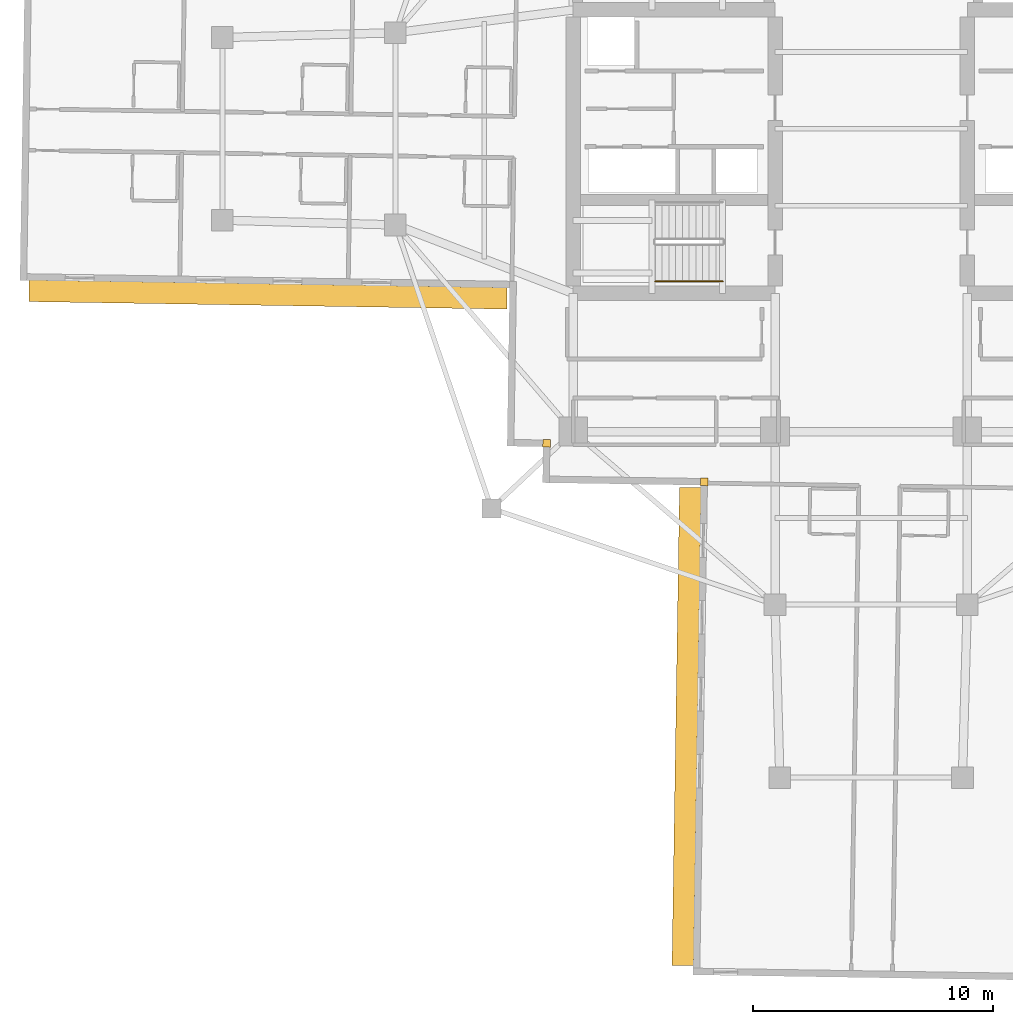
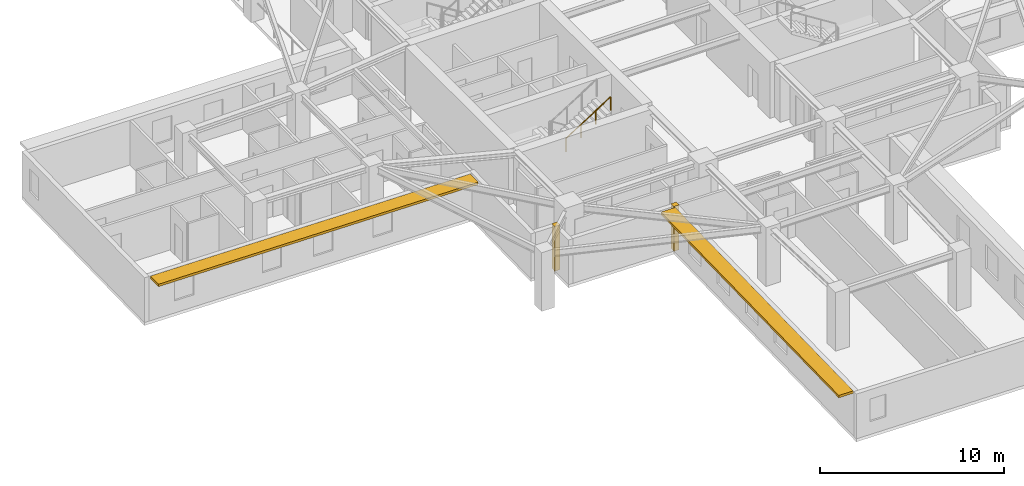
# One storey, part 9 of 13: 2 coverings, 2 shading devices, 1 railing.
"""IFC4 building model written with IfcOpenShell, lengths in metres."""

import ifcopenshell
import ifcopenshell.guid

model = None  # the IFC model being written
_history = None  # IfcOwnerHistory: only IFC2X3 demands one
_inside = {}  # id of a spatial element -> (the spatial element, [elements in it])
_under = {}  # id of a project, library or spatial element -> (it, [spatial elements below it])
_declared = {}  # id of a project -> (the project, [libraries it declares])
_typed = {}  # id of a type object -> (the type object, [elements of that type])
_made_of = {}  # id of a material, layer set ... -> (it, [elements and type objects made of it])


def new_model(schema):
    """Start an empty IFC model of exactly this schema.

    Asked for "IFC4X3", IfcOpenShell would pick the latest addendum, in which some entities
    have other attributes; the version numbers below select the first issue.
    IFC2X3 requires an IfcOwnerHistory on every rooted entity: one is made here for all.
    """
    global model, _history
    if schema == "IFC4X3":
        model = ifcopenshell.file(schema_version=(4, 3, 0, 0))
    else:
        model = ifcopenshell.file(schema=schema)
    _inside.clear()
    _under.clear()
    _declared.clear()
    _typed.clear()
    _made_of.clear()
    _history = None
    if model.schema == "IFC2X3":
        org = make("IfcOrganization", Name="unknown")
        user = make(
            "IfcPersonAndOrganization",
            ThePerson=make("IfcPerson", FamilyName="unknown"),
            TheOrganization=org,
        )
        app = make(
            "IfcApplication",
            ApplicationDeveloper=org,
            Version="unknown",
            ApplicationFullName="unknown",
            ApplicationIdentifier="unknown",
        )
        _history = make(
            "IfcOwnerHistory",
            OwningUser=user,
            OwningApplication=app,
            ChangeAction="ADDED",
            CreationDate=0,
        )
    return model


def make(cls, **values):
    """One entity of the class cls with the attributes given. An attribute that is None is left unset."""
    return model.create_entity(
        cls, **{name: value for name, value in values.items() if value is not None}
    )


def rooted(cls, **values):
    """An entity with a GlobalId (a new one), such as an element, a storey or a relation."""
    return make(cls, GlobalId=ifcopenshell.guid.new(), OwnerHistory=_history, **values)


def si_unit(unit_type, name, prefix=None):
    """IfcSIUnit, for example si_unit("LENGTHUNIT", "METRE", prefix="MILLI")."""
    return make("IfcSIUnit", UnitType=unit_type, Prefix=prefix, Name=name)


def assignment(units):
    """IfcUnitAssignment: the units of a project."""
    return None if units is None else make("IfcUnitAssignment", Units=units)


def point(xyz):
    """IfcCartesianPoint."""
    return None if xyz is None else make("IfcCartesianPoint", Coordinates=xyz)


def direction(xyz):
    """IfcDirection."""
    return None if xyz is None else make("IfcDirection", DirectionRatios=xyz)


def frame(location, z_axis=None, x_axis=None):
    """IfcAxis2Placement3D, a coordinate frame: its origin and axes. An axis left out is left unset."""
    return make(
        "IfcAxis2Placement3D",
        Location=point(location),
        Axis=direction(z_axis),
        RefDirection=direction(x_axis),
    )


def frame_2d(location, x_axis=None):
    """IfcAxis2Placement2D, a coordinate frame in the plane: its origin and x axis."""
    return make(
        "IfcAxis2Placement2D", Location=point(location), RefDirection=direction(x_axis)
    )


def origin():
    """The frame at (0, 0, 0) with its axes left unset."""
    return frame((0.0, 0.0, 0.0))


def origin_2d():
    """The frame at (0, 0) in the plane with its x axis left unset."""
    return frame_2d((0.0, 0.0))


def place(relative_to, where):
    """IfcLocalPlacement: puts the frame where relative to a parent placement (None: the world)."""
    return make(
        "IfcLocalPlacement", PlacementRelTo=relative_to, RelativePlacement=where
    )


def context(
    kind, dimensions, precision=None, world=None, true_north=None, identifier=None
):
    """IfcGeometricRepresentationContext, for example the 3D "Model" context."""
    return make(
        "IfcGeometricRepresentationContext",
        ContextIdentifier=identifier,
        ContextType=kind,
        CoordinateSpaceDimension=dimensions,
        Precision=precision,
        WorldCoordinateSystem=world,
        TrueNorth=true_north,
    )


def subcontext(parent, identifier, kind, view, scale=None):
    """IfcGeometricRepresentationSubContext, for example "Body" below "Model"."""
    return make(
        "IfcGeometricRepresentationSubContext",
        ContextIdentifier=identifier,
        ContextType=kind,
        ParentContext=parent,
        TargetScale=scale,
        TargetView=view,
    )


def project(units=None, contexts=None):
    """IfcProject with its units and contexts."""
    return rooted(
        "IfcProject",
        Name="project",
        RepresentationContexts=contexts,
        UnitsInContext=assignment(units),
    )


def spatial(cls, under=None, at=None, **own):
    """A site, building, storey or space (cls), placed at a placement, below another one or the project."""
    s = rooted(cls, ObjectPlacement=at, **own)
    if under is not None:
        _under.setdefault(under.id(), (under, []))[1].append(s)
    return s


def profile(cls, at=None, kind="AREA", **sizes):
    """A parametric profile (cls). Its sizes go by their IFC names, for example OverallWidth=200.0."""
    return make(cls, ProfileType=kind, Position=at, **sizes)


def rectangle(**sizes):
    """IfcRectangleProfileDef."""
    return profile("IfcRectangleProfileDef", **sizes)


def circle(**sizes):
    """IfcCircleProfileDef."""
    return profile("IfcCircleProfileDef", **sizes)


def extrude(swept, where, along, depth):
    """IfcExtrudedAreaSolid: the profile swept, set in the frame where, extruded along a direction by depth."""
    return make(
        "IfcExtrudedAreaSolid",
        SweptArea=swept,
        Position=where,
        ExtrudedDirection=direction(along),
        Depth=depth,
    )


def shape(context_of_items, identifier, shape_type, items):
    """IfcShapeRepresentation: the items that make up one representation, for example the "Body"."""
    return make(
        "IfcShapeRepresentation",
        ContextOfItems=context_of_items,
        RepresentationIdentifier=identifier,
        RepresentationType=shape_type,
        Items=items,
    )


def material(Name=None, Category=None):
    """IfcMaterial."""
    return make("IfcMaterial", Name=Name, Category=Category)


def layer(
    of_material, thickness, ventilated=None, Name=None, Category=None, Priority=None
):
    """IfcMaterialLayer: one layer of a wall or slab, of a material (None: an air gap)."""
    return make(
        "IfcMaterialLayer",
        Material=of_material,
        LayerThickness=thickness,
        IsVentilated=ventilated,
        Name=Name,
        Category=Category,
        Priority=Priority,
    )


def layer_set(layers, Name=None):
    """IfcMaterialLayerSet."""
    return make("IfcMaterialLayerSet", MaterialLayers=layers, LayerSetName=Name)


def made_of(thing, what):
    """Note that an element or type object is made of a material, layer set ...; save() writes the relation."""
    if what is not None:
        _made_of.setdefault(what.id(), (what, []))[1].append(thing)
    return thing


def type_object(cls, material=None, **own):
    """A type object (cls), such as IfcWallType, which elements share."""
    return made_of(rooted(cls, **own), material)


def element(
    cls,
    number,
    at=None,
    inside=None,
    cuts=None,
    type_object=None,
    material=None,
    context=None,
    identifier="Body",
    shape_type=None,
    held_by="IfcProductDefinitionShape",
    body=None,
    shapes=None,
    **own,
):
    """One element of the class cls, such as IfcWall. Its Tag is "e" and its number.

    at: its placement. inside: the storey or other place that contains it. cuts: it is an
    opening in that element (IfcRelVoidsElement). A single representation is given by context,
    identifier, shape_type and body (its items); several are given by shapes. held_by: the class
    of the entity that holds the representations. save() writes the other relations.
    """
    e = rooted(cls, Tag="e%d" % number, ObjectPlacement=at, **own)
    if body is not None:
        shapes = [shape(context, identifier, shape_type, body)]
    if shapes is not None:
        e.Representation = make(held_by, Representations=shapes)
    if inside is not None:
        _inside.setdefault(inside.id(), (inside, []))[1].append(e)
    if cuts is not None:
        rooted(
            "IfcRelVoidsElement", RelatingBuildingElement=cuts, RelatedOpeningElement=e
        )
    if type_object is not None:
        _typed.setdefault(type_object.id(), (type_object, []))[1].append(e)
    return made_of(e, material)


def aggregate(whole, parts):
    """IfcRelAggregates: a whole, such as a stair, and the parts it consists of."""
    return rooted("IfcRelAggregates", RelatingObject=whole, RelatedObjects=parts)


def save(model, path):
    """Write the relations noted so far, then the file.

    IfcRelAggregates (storeys below a building ...), IfcRelContainedInSpatialStructure (elements
    in a storey), IfcRelDefinesByType, IfcRelAssociatesMaterial and IfcRelDeclares: one each for
    every whole, place, type object, material and project.
    """
    for whole, parts in _under.values():
        aggregate(whole, parts)
    for where, things in _inside.values():
        rooted(
            "IfcRelContainedInSpatialStructure",
            RelatedElements=things,
            RelatingStructure=where,
        )
    for kind, things in _typed.values():
        rooted("IfcRelDefinesByType", RelatedObjects=things, RelatingType=kind)
    for what, things in _made_of.values():
        rooted("IfcRelAssociatesMaterial", RelatedObjects=things, RelatingMaterial=what)
    for by, libraries in _declared.values():
        rooted("IfcRelDeclares", RelatingContext=by, RelatedDefinitions=libraries)
    model.write(path)


model = new_model("IFC4")

# Units and contexts
model_context = context("Model", 3, precision=1e-05, world=origin(), true_north=direction((0.0, 1.0)))
body_context = subcontext(model_context, "Body", "Model", "MODEL_VIEW")
ifc_project = project(units=[si_unit("LENGTHUNIT", "METRE"), si_unit("AREAUNIT", "SQUARE_METRE"), si_unit("VOLUMEUNIT", "CUBIC_METRE"), si_unit("PLANEANGLEUNIT", "RADIAN"), si_unit("MASSUNIT", "GRAM", prefix="KILO")], contexts=[model_context])

# Site, building, storey
site_placement = place(None, origin())
site = spatial("IfcSite", under=ifc_project, at=site_placement, CompositionType="ELEMENT")
building_placement = place(site_placement, origin())
building = spatial("IfcBuilding", under=site, at=building_placement, Name="Qingluan Cross Belvedere", CompositionType="ELEMENT")
storey_placement = place(building_placement, frame((0.0, 0.0, 148.800048828125)))
storey = spatial("IfcBuildingStorey", under=building, at=storey_placement, Name="L37", CompositionType="ELEMENT", Elevation=148.800048828125)

# Coverings
ifc_material_1 = material(Name="Precast concrete C45", Category="concrete")
ifc_layer_1 = layer(ifc_material_1, 0.1201171875, Name="ConcreteSpandrelCladding_120")
ifc_layer_set_1 = layer_set([ifc_layer_1], Name="Precast concrete C45")
covering_type = type_object("IfcCoveringType", Name="ConcreteSpandrelCladding_120", PredefinedType="CLADDING", material=ifc_layer_set_1)
for number, where, z_axis, x_axis, name in (
    (1, (-13.50732421875, -13.089599609375, 0.0), (0.0, 0.0, 1.0), (0.999876632482, -0.015707317312, 0.0), "Corner closure L37-SW1"),
    (2, (-6.95166015625, -14.692626953125, 0.0), (0.0, 0.0, 1.0), (0.999876632482, -0.015707317312, 0.0), "Corner closure L37-SW2"),
):
    element("IfcCovering", number, at=place(storey_placement, frame(where, z_axis=z_axis, x_axis=x_axis)), inside=storey, type_object=covering_type, Name=name, PredefinedType="CLADDING", context=body_context, shape_type="SweptSolid", body=[
        extrude(rectangle(XDim=0.320068359375, YDim=0.320068359375, at=origin_2d()), origin(), (0.0, 0.0, 1.0), 2.969970703125),
    ])

# Shading devices
ifc_material_2 = material(Name="Precast concrete C45", Category="concrete")
ifc_layer_2 = layer(ifc_material_2, 0.159912109375, Name="ConcreteSunshadeBand_900")
ifc_layer_set_2 = layer_set([ifc_layer_2], Name="Precast concrete C45")
shading_device_type = type_object("IfcShadingDeviceType", Name="ConcreteSunshadeBand_900", PredefinedType="USERDEFINED", material=ifc_layer_set_2)
for number, where, z_axis, x_axis, name in (
    (3, (-25.101318359375, -6.896484375, 2.7900390625), (0.0, 0.0, 1.0), (0.999876645576, -0.015706483741, 0.0), "Concrete SUNSHADE L37-WB"),
    (4, (-7.681640625, -24.872314453125, 2.7900390625), (0.0, 0.0, 1.0), (-0.015711457647, -0.999876567432, 0.0), "Concrete SUNSHADE L37-SA"),
):
    element("IfcShadingDevice", number, at=place(storey_placement, frame(where, z_axis=z_axis, x_axis=x_axis)), inside=storey, type_object=shading_device_type, Name=name, ObjectType="SUNSHADE", PredefinedType="USERDEFINED", context=body_context, shape_type="SweptSolid", body=[
        extrude(rectangle(XDim=19.89990234375, YDim=0.89990234375, at=origin_2d()), origin(), (0.0, 0.0, 1.0), 0.159912109375),
    ])

# Railing
ifc_material_3 = material(Name="Brushed stainless steel tubular handrail", Category="steel")
railing_type = type_object("IfcRailingType", Name="StairPitchHandrail_900", PredefinedType="HANDRAIL", material=ifc_material_3)
railing_placement = place(storey_placement, frame((-8.97998046875, -6.35009765625, 2.127197265625)))
element("IfcRailing", 5, at=railing_placement, inside=storey, type_object=railing_type, Name="L37 ST1 stair handrail 2", PredefinedType="HANDRAIL", context=body_context, shape_type="SweptSolid", body=[
    extrude(circle(Radius=0.02392578125, at=origin_2d()), frame((0.0, 0.0, 0.8759765625), z_axis=(0.844908973607, 0.0, 0.534910110503), x_axis=(0.0, 1.0, 0.0)), (0.0, 0.0, 1.0), 3.31396484375),
    extrude(circle(Radius=0.02099609375, at=origin_2d()), origin(), (0.0, 0.0, 1.0), 0.851806640625),
    extrude(circle(Radius=0.02099609375, at=origin_2d()), frame((0.933349609375, 0.0, 0.5908203125)), (0.0, 0.0, 1.0), 0.851806640625),
    extrude(circle(Radius=0.02099609375, at=origin_2d()), frame((1.86669921875, 0.0, 1.181884765625)), (0.0, 0.0, 1.0), 0.851806640625),
    extrude(circle(Radius=0.02099609375, at=origin_2d()), frame((2.800048828125, 0.0, 1.772705078125)), (0.0, 0.0, 1.0), 0.851806640625),
])

save(model, "model.ifc")
